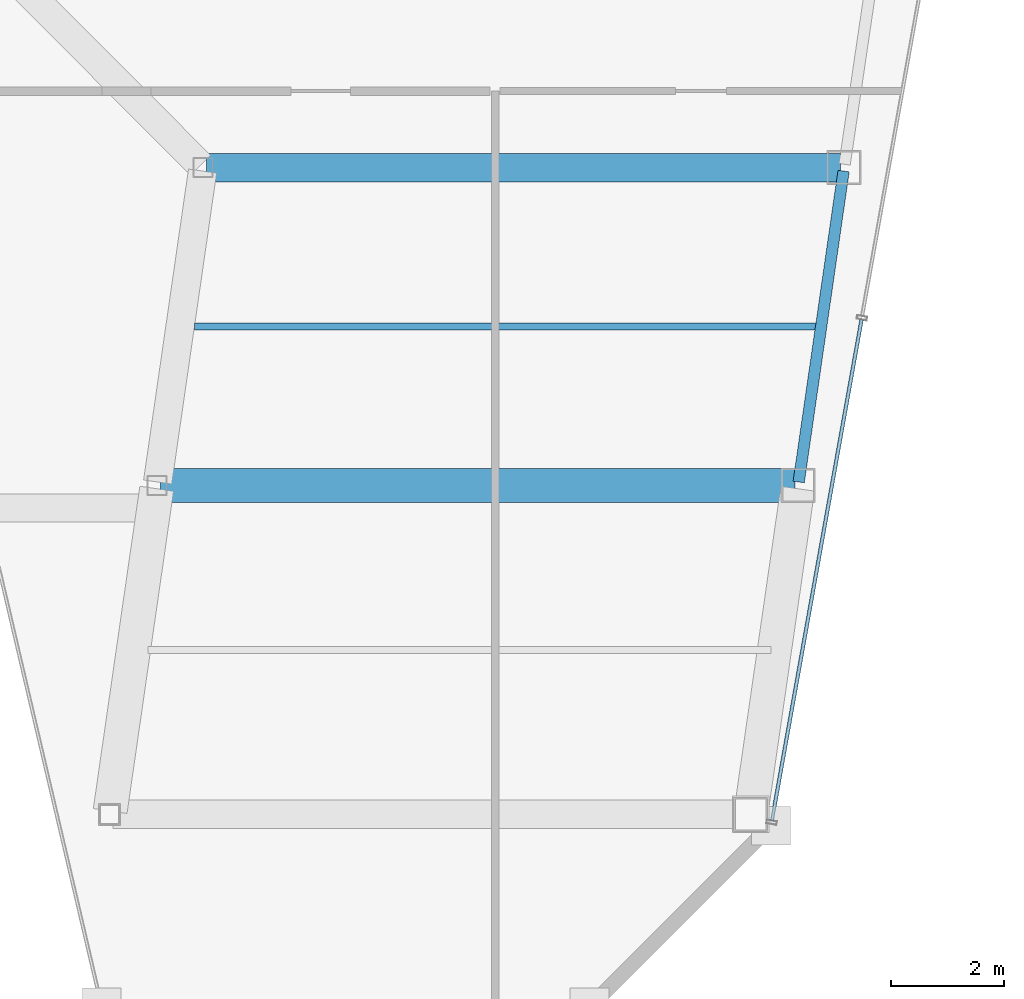
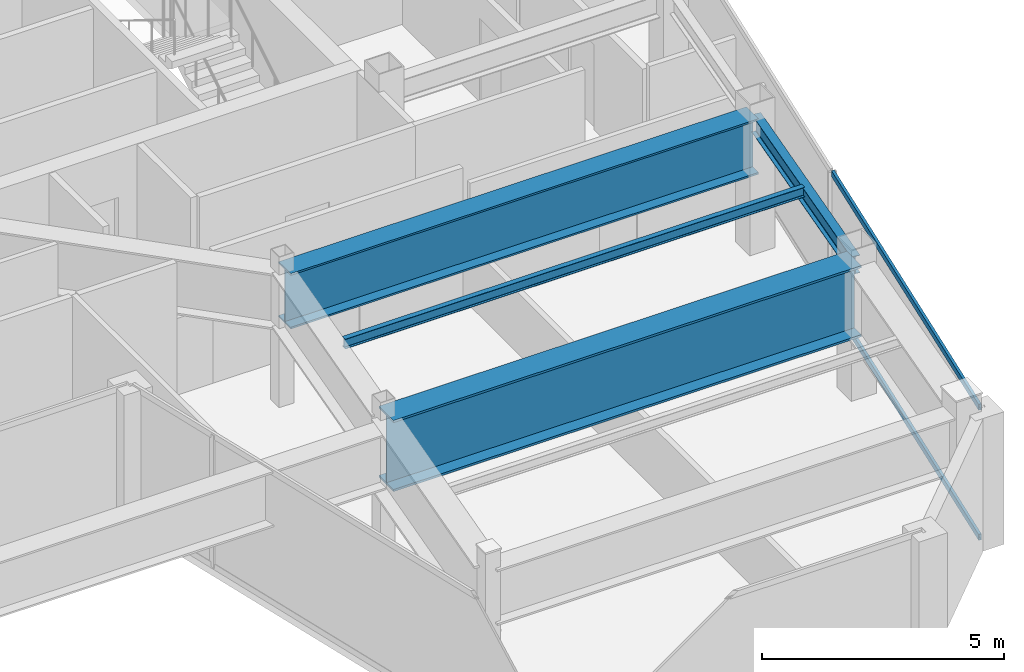
# One storey, part 14 of 30: 4 beams, 2 members, 1 element without a shape of its own.
"""IFC4 building model written with IfcOpenShell, lengths in metres."""

import ifcopenshell
import ifcopenshell.guid

model = None  # the IFC model being written
_history = None  # IfcOwnerHistory: only IFC2X3 demands one
_inside = {}  # id of a spatial element -> (the spatial element, [elements in it])
_under = {}  # id of a project, library or spatial element -> (it, [spatial elements below it])
_declared = {}  # id of a project -> (the project, [libraries it declares])
_typed = {}  # id of a type object -> (the type object, [elements of that type])
_made_of = {}  # id of a material, layer set ... -> (it, [elements and type objects made of it])


def new_model(schema):
    """Start an empty IFC model of exactly this schema.

    Asked for "IFC4X3", IfcOpenShell would pick the latest addendum, in which some entities
    have other attributes; the version numbers below select the first issue.
    IFC2X3 requires an IfcOwnerHistory on every rooted entity: one is made here for all.
    """
    global model, _history
    if schema == "IFC4X3":
        model = ifcopenshell.file(schema_version=(4, 3, 0, 0))
    else:
        model = ifcopenshell.file(schema=schema)
    _inside.clear()
    _under.clear()
    _declared.clear()
    _typed.clear()
    _made_of.clear()
    _history = None
    if model.schema == "IFC2X3":
        org = make("IfcOrganization", Name="unknown")
        user = make(
            "IfcPersonAndOrganization",
            ThePerson=make("IfcPerson", FamilyName="unknown"),
            TheOrganization=org,
        )
        app = make(
            "IfcApplication",
            ApplicationDeveloper=org,
            Version="unknown",
            ApplicationFullName="unknown",
            ApplicationIdentifier="unknown",
        )
        _history = make(
            "IfcOwnerHistory",
            OwningUser=user,
            OwningApplication=app,
            ChangeAction="ADDED",
            CreationDate=0,
        )
    return model


def make(cls, **values):
    """One entity of the class cls with the attributes given. An attribute that is None is left unset."""
    return model.create_entity(
        cls, **{name: value for name, value in values.items() if value is not None}
    )


def rooted(cls, **values):
    """An entity with a GlobalId (a new one), such as an element, a storey or a relation."""
    return make(cls, GlobalId=ifcopenshell.guid.new(), OwnerHistory=_history, **values)


def si_unit(unit_type, name, prefix=None):
    """IfcSIUnit, for example si_unit("LENGTHUNIT", "METRE", prefix="MILLI")."""
    return make("IfcSIUnit", UnitType=unit_type, Prefix=prefix, Name=name)


def assignment(units):
    """IfcUnitAssignment: the units of a project."""
    return None if units is None else make("IfcUnitAssignment", Units=units)


def point(xyz):
    """IfcCartesianPoint."""
    return None if xyz is None else make("IfcCartesianPoint", Coordinates=xyz)


def direction(xyz):
    """IfcDirection."""
    return None if xyz is None else make("IfcDirection", DirectionRatios=xyz)


def frame(location, z_axis=None, x_axis=None):
    """IfcAxis2Placement3D, a coordinate frame: its origin and axes. An axis left out is left unset."""
    return make(
        "IfcAxis2Placement3D",
        Location=point(location),
        Axis=direction(z_axis),
        RefDirection=direction(x_axis),
    )


def frame_2d(location, x_axis=None):
    """IfcAxis2Placement2D, a coordinate frame in the plane: its origin and x axis."""
    return make(
        "IfcAxis2Placement2D", Location=point(location), RefDirection=direction(x_axis)
    )


def origin():
    """The frame at (0, 0, 0) with its axes left unset."""
    return frame((0.0, 0.0, 0.0))


def origin_2d():
    """The frame at (0, 0) in the plane with its x axis left unset."""
    return frame_2d((0.0, 0.0))


def place(relative_to, where):
    """IfcLocalPlacement: puts the frame where relative to a parent placement (None: the world)."""
    return make(
        "IfcLocalPlacement", PlacementRelTo=relative_to, RelativePlacement=where
    )


def context(
    kind, dimensions, precision=None, world=None, true_north=None, identifier=None
):
    """IfcGeometricRepresentationContext, for example the 3D "Model" context."""
    return make(
        "IfcGeometricRepresentationContext",
        ContextIdentifier=identifier,
        ContextType=kind,
        CoordinateSpaceDimension=dimensions,
        Precision=precision,
        WorldCoordinateSystem=world,
        TrueNorth=true_north,
    )


def subcontext(parent, identifier, kind, view, scale=None):
    """IfcGeometricRepresentationSubContext, for example "Body" below "Model"."""
    return make(
        "IfcGeometricRepresentationSubContext",
        ContextIdentifier=identifier,
        ContextType=kind,
        ParentContext=parent,
        TargetScale=scale,
        TargetView=view,
    )


def project(units=None, contexts=None):
    """IfcProject with its units and contexts."""
    return rooted(
        "IfcProject",
        Name="project",
        RepresentationContexts=contexts,
        UnitsInContext=assignment(units),
    )


def spatial(cls, under=None, at=None, **own):
    """A site, building, storey or space (cls), placed at a placement, below another one or the project."""
    s = rooted(cls, ObjectPlacement=at, **own)
    if under is not None:
        _under.setdefault(under.id(), (under, []))[1].append(s)
    return s


def profile(cls, at=None, kind="AREA", **sizes):
    """A parametric profile (cls). Its sizes go by their IFC names, for example OverallWidth=200.0."""
    return make(cls, ProfileType=kind, Position=at, **sizes)


def hollow_rectangle(**sizes):
    """IfcRectangleHollowProfileDef."""
    return profile("IfcRectangleHollowProfileDef", **sizes)


def i_section(**sizes):
    """IfcIShapeProfileDef."""
    return profile("IfcIShapeProfileDef", **sizes)


def extrude(swept, where, along, depth):
    """IfcExtrudedAreaSolid: the profile swept, set in the frame where, extruded along a direction by depth."""
    return make(
        "IfcExtrudedAreaSolid",
        SweptArea=swept,
        Position=where,
        ExtrudedDirection=direction(along),
        Depth=depth,
    )


def shape(context_of_items, identifier, shape_type, items):
    """IfcShapeRepresentation: the items that make up one representation, for example the "Body"."""
    return make(
        "IfcShapeRepresentation",
        ContextOfItems=context_of_items,
        RepresentationIdentifier=identifier,
        RepresentationType=shape_type,
        Items=items,
    )


def material(Name=None, Category=None):
    """IfcMaterial."""
    return make("IfcMaterial", Name=Name, Category=Category)


def material_profile(
    of_material, cross_section, Name=None, Category=None, Priority=None
):
    """IfcMaterialProfile: a cross section and its material."""
    return make(
        "IfcMaterialProfile",
        Name=Name,
        Material=of_material,
        Profile=cross_section,
        Priority=Priority,
        Category=Category,
    )


def profile_set(profiles, Name=None, composite=None):
    """IfcMaterialProfileSet."""
    return make(
        "IfcMaterialProfileSet",
        Name=Name,
        MaterialProfiles=profiles,
        CompositeProfile=composite,
    )


def made_of(thing, what):
    """Note that an element or type object is made of a material, layer set ...; save() writes the relation."""
    if what is not None:
        _made_of.setdefault(what.id(), (what, []))[1].append(thing)
    return thing


def type_object(cls, material=None, **own):
    """A type object (cls), such as IfcWallType, which elements share."""
    return made_of(rooted(cls, **own), material)


def element(
    cls,
    number,
    at=None,
    inside=None,
    cuts=None,
    type_object=None,
    material=None,
    context=None,
    identifier="Body",
    shape_type=None,
    held_by="IfcProductDefinitionShape",
    body=None,
    shapes=None,
    **own,
):
    """One element of the class cls, such as IfcWall. Its Tag is "e" and its number.

    at: its placement. inside: the storey or other place that contains it. cuts: it is an
    opening in that element (IfcRelVoidsElement). A single representation is given by context,
    identifier, shape_type and body (its items); several are given by shapes. held_by: the class
    of the entity that holds the representations. save() writes the other relations.
    """
    e = rooted(cls, Tag="e%d" % number, ObjectPlacement=at, **own)
    if body is not None:
        shapes = [shape(context, identifier, shape_type, body)]
    if shapes is not None:
        e.Representation = make(held_by, Representations=shapes)
    if inside is not None:
        _inside.setdefault(inside.id(), (inside, []))[1].append(e)
    if cuts is not None:
        rooted(
            "IfcRelVoidsElement", RelatingBuildingElement=cuts, RelatedOpeningElement=e
        )
    if type_object is not None:
        _typed.setdefault(type_object.id(), (type_object, []))[1].append(e)
    return made_of(e, material)


def aggregate(whole, parts):
    """IfcRelAggregates: a whole, such as a stair, and the parts it consists of."""
    return rooted("IfcRelAggregates", RelatingObject=whole, RelatedObjects=parts)


def save(model, path):
    """Write the relations noted so far, then the file.

    IfcRelAggregates (storeys below a building ...), IfcRelContainedInSpatialStructure (elements
    in a storey), IfcRelDefinesByType, IfcRelAssociatesMaterial and IfcRelDeclares: one each for
    every whole, place, type object, material and project.
    """
    for whole, parts in _under.values():
        aggregate(whole, parts)
    for where, things in _inside.values():
        rooted(
            "IfcRelContainedInSpatialStructure",
            RelatedElements=things,
            RelatingStructure=where,
        )
    for kind, things in _typed.values():
        rooted("IfcRelDefinesByType", RelatedObjects=things, RelatingType=kind)
    for what, things in _made_of.values():
        rooted("IfcRelAssociatesMaterial", RelatedObjects=things, RelatingMaterial=what)
    for by, libraries in _declared.values():
        rooted("IfcRelDeclares", RelatingContext=by, RelatedDefinitions=libraries)
    model.write(path)


model = new_model("IFC4")

# Units and contexts
model_context = context("Model", 3, precision=1e-05, world=origin(), true_north=direction((0.0, 1.0)))
body_context = subcontext(model_context, "Body", "Model", "MODEL_VIEW")
ifc_project = project(units=[si_unit("LENGTHUNIT", "METRE"), si_unit("AREAUNIT", "SQUARE_METRE"), si_unit("VOLUMEUNIT", "CUBIC_METRE"), si_unit("PLANEANGLEUNIT", "RADIAN"), si_unit("MASSUNIT", "GRAM", prefix="KILO")], contexts=[model_context])

# Site, building, storey
site_placement = place(None, origin())
site = spatial("IfcSite", under=ifc_project, at=site_placement, CompositionType="ELEMENT")
building_placement = place(site_placement, origin())
building = spatial("IfcBuilding", under=site, at=building_placement, Name="Saevonmaru Cultural Tower", CompositionType="ELEMENT")
storey_placement = place(building_placement, frame((0.0, 0.0, 272.39990234375)))
storey = spatial("IfcBuildingStorey", under=building, at=storey_placement, Name="L64", CompositionType="ELEMENT", Elevation=272.39990234375)

# Beams
ifc_material_1 = material(Name="Steel SM355", Category="steel")
ifc_material_profile_1 = material_profile(ifc_material_1, i_section(OverallWidth=0.125, OverallDepth=0.25, WebThickness=0.006103515625, FlangeThickness=0.009033203125, FilletRadius=0.008056640625, at=origin_2d()), Name="H-250x125x6x9")
ifc_profile_set_1 = profile_set([ifc_material_profile_1], Name="Steel SM355")
beam_type_1 = type_object("IfcBeamType", Name="BM-J-H250", PredefinedType="JOIST", material=ifc_profile_set_1)
beam_1_placement = place(storey_placement, frame((41.04541015625, 34.800048828125, 3.22509765625), z_axis=(1.0, 0.0, 0.0), x_axis=(0.0, 1.0, 0.0)))
element("IfcBeam", 1, at=beam_1_placement, inside=storey, type_object=beam_type_1, Name="L64 East Wing Floor Joist 2", PredefinedType="JOIST", context=body_context, shape_type="SweptSolid", body=[
    extrude(i_section(OverallWidth=0.125, OverallDepth=0.25, WebThickness=0.006103515625, FlangeThickness=0.009033203125, FilletRadius=0.008056640625, at=origin_2d()), origin(), (0.0, 0.0, 1.0), 10.982177734375),
])
ifc_material_profile_2 = material_profile(ifc_material_1, i_section(OverallWidth=0.199951171875, OverallDepth=0.449951171875, WebThickness=0.009033203125, FlangeThickness=0.013916015625, FilletRadius=0.01806640625, at=origin_2d()), Name="H-450x200x9x14")
ifc_profile_set_2 = profile_set([ifc_material_profile_2], Name="Steel SM355")
beam_type_2 = type_object("IfcBeamType", Name="BM-SP-H450", PredefinedType="SPANDREL", material=ifc_profile_set_2)
beam_2_placement = place(storey_placement, frame((51.691650390625, 32.059326171875, 3.125), z_axis=(0.142964121327, 0.989727871697, 0.0), x_axis=(-0.989727871697, 0.142964121327, 0.0)))
element("IfcBeam", 2, at=beam_2_placement, inside=storey, type_object=beam_type_2, Name="L64 East Splayed Spandrel 2", PredefinedType="SPANDREL", context=body_context, shape_type="SweptSolid", body=[
    extrude(i_section(OverallWidth=0.199951171875, OverallDepth=0.449951171875, WebThickness=0.009033203125, FlangeThickness=0.013916015625, FilletRadius=0.01806640625, at=origin_2d()), origin(), (0.0, 0.0, 1.0), 5.5380859375),
])
ifc_material_2 = material(Name="Steel HSA600 (600 MPa)", Category="steel")
ifc_material_profile_3 = material_profile(ifc_material_2, i_section(OverallWidth=0.5, OverallDepth=1.39990234375, WebThickness=0.02392578125, FlangeThickness=0.044921875, at=origin_2d()), Name="PG-1400x500x24x45")
ifc_profile_set_3 = profile_set([ifc_material_profile_3], Name="Steel HSA600 (600 MPa)")
beam_type_3 = type_object("IfcBeamType", Name="BM-TG-PG1400", PredefinedType="BEAM", material=ifc_profile_set_3)
beam_3_placement = place(storey_placement, frame((41.251953125, 37.60009765625, 2.650146484375), z_axis=(1.0, 0.0, 0.0), x_axis=(0.0, 1.0, 0.0)))
element("IfcBeam", 3, at=beam_3_placement, inside=storey, type_object=beam_type_3, Name="L64 East Wing Transverse Girder 3", PredefinedType="BEAM", context=body_context, shape_type="SweptSolid", body=[
    extrude(i_section(OverallWidth=0.5, OverallDepth=1.39990234375, WebThickness=0.02392578125, FlangeThickness=0.044921875, at=origin_2d()), origin(), (0.0, 0.0, 1.0), 11.179931640625),
])
ifc_material_profile_4 = material_profile(ifc_material_2, i_section(OverallWidth=0.60009765625, OverallDepth=1.800048828125, WebThickness=0.028076171875, FlangeThickness=0.054931640625, at=origin_2d()), Name="PG-1800x600x28x55")
ifc_profile_set_4 = profile_set([ifc_material_profile_4], Name="Steel HSA600 (600 MPa)")
beam_type_4 = type_object("IfcBeamType", Name="BM-TG-PG1800", PredefinedType="BEAM", material=ifc_profile_set_4)
beam_4_placement = place(storey_placement, frame((40.443115234375, 32.0, 2.4501953125), z_axis=(1.0, 0.0, 0.0), x_axis=(0.0, 1.0, 0.0)))
element("IfcBeam", 4, at=beam_4_placement, inside=storey, type_object=beam_type_4, Name="L64 East Wing Transverse Girder 2", PredefinedType="BEAM", context=body_context, shape_type="SweptSolid", body=[
    extrude(i_section(OverallWidth=0.60009765625, OverallDepth=1.800048828125, WebThickness=0.028076171875, FlangeThickness=0.054931640625, at=origin_2d()), origin(), (0.0, 0.0, 1.0), 11.179931640625),
])

# Curtain wall, members
ifc_material_3 = material(Name="Satin Bronze Anodised Aluminium", Category="aluminium")
curtain_wall_type = type_object("IfcCurtainWallType", Name="CW-TYP-B", PredefinedType="NOTDEFINED", material=ifc_material_3)
curtain_wall_placement = place(storey_placement, origin())
curtain_wall = element("IfcCurtainWall", 5, at=curtain_wall_placement, inside=storey, type_object=curtain_wall_type, Name="L64 Unitised Curtain Wall E8", PredefinedType="NOTDEFINED")
ifc_material_profile_5 = material_profile(ifc_material_3, hollow_rectangle(XDim=0.06494140625, YDim=0.14990234375, WallThickness=0.00390625, at=origin_2d()), Name="ALU-TRAN-150x65x4")
ifc_profile_set_5 = profile_set([ifc_material_profile_5], Name="Satin Bronze Anodised Aluminium")
member_type = type_object("IfcMemberType", Name="TR-CW-150x65", PredefinedType="USERDEFINED", material=ifc_profile_set_5)
member_1_placement = place(storey_placement, frame((51.220703125, 26.091064453125, 0.03271484375), z_axis=(0.176144810911, 0.984364264685, 0.0), x_axis=(-0.984364264685, 0.176144810911, 0.0)))
member_1 = element("IfcMember", 6, at=member_1_placement, type_object=member_type, Name="CW-TW-L64-E8 transom 1.1", ObjectType="TRANSOM", PredefinedType="USERDEFINED", context=body_context, shape_type="SweptSolid", body=[
    extrude(hollow_rectangle(XDim=0.06494140625, YDim=0.14990234375, WallThickness=0.00390625, at=origin_2d()), origin(), (0.0, 0.0, 1.0), 8.97021484375),
])
member_2_placement = place(storey_placement, frame((51.220703125, 26.091064453125, 3.317626953125), z_axis=(0.176144810911, 0.984364264685, 0.0), x_axis=(-0.984364264685, 0.176144810911, 0.0)))
member_2 = element("IfcMember", 7, at=member_2_placement, type_object=member_type, Name="CW-TW-L64-E8 transom 1.2", ObjectType="TRANSOM", PredefinedType="USERDEFINED", context=body_context, shape_type="SweptSolid", body=[
    extrude(hollow_rectangle(XDim=0.06494140625, YDim=0.14990234375, WallThickness=0.00390625, at=origin_2d()), origin(), (0.0, 0.0, 1.0), 8.97021484375),
])
aggregate(curtain_wall, [member_1, member_2])

save(model, "model.ifc")
